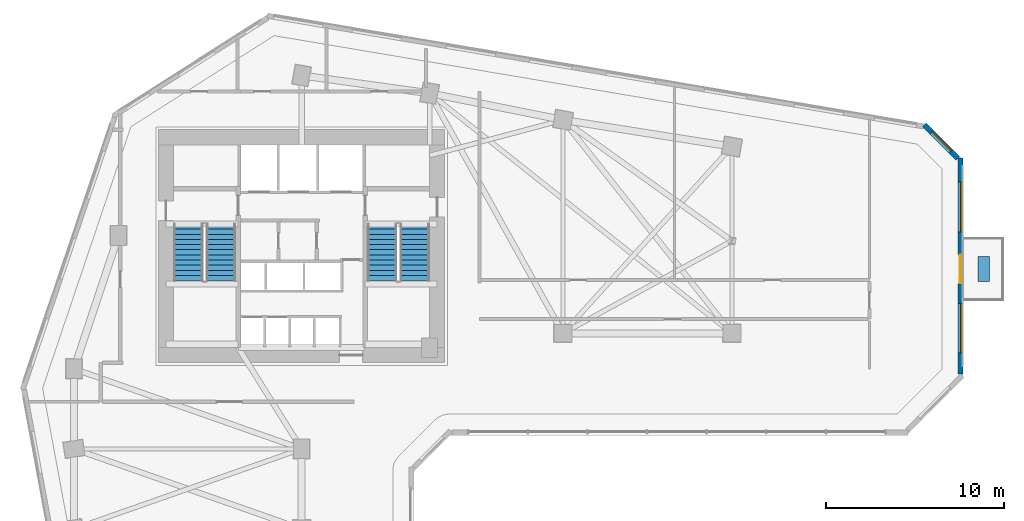
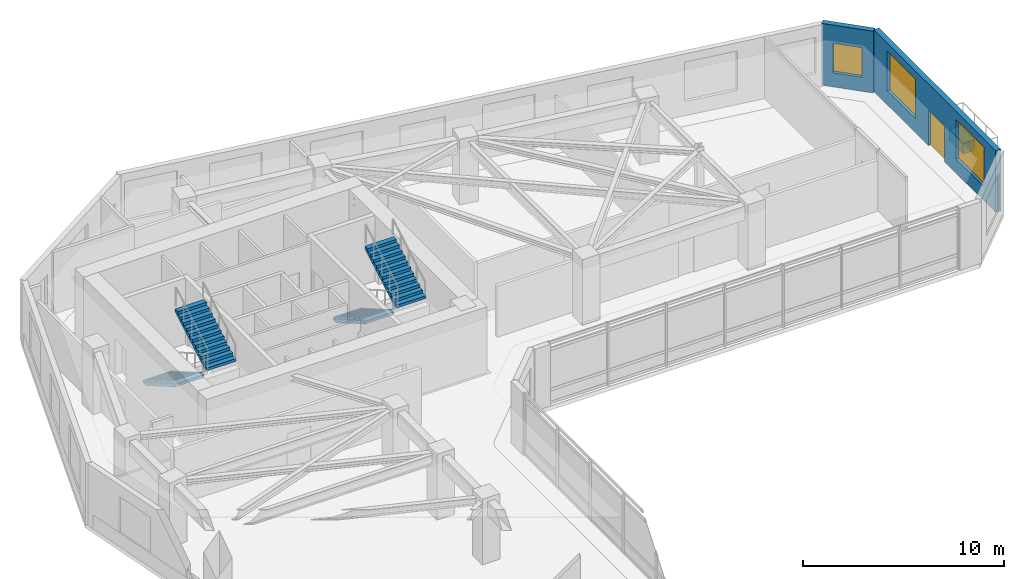
# One storey, part 8 of 11: 4 stair flights, 3 windows, 2 walls, 1 discrete accessory, 1 door, 4 openings, 2 elements without a shape of their own.
"""IFC4 building model written with IfcOpenShell, lengths in metres."""

from ifc_helpers import new_model, si_unit, direction, frame, frame_2d, origin, origin_2d, place, context, subcontext, project, spatial, polyline, rectangle, outline, extrude, source, transform, mapped, material, layer, layer_set, type_object, element, fill, aggregate, save


model = new_model("IFC4")

# Units and contexts
model_context = context("Model", 3, precision=1e-05, world=origin(), true_north=direction((0.0, 1.0)))
body_context = subcontext(model_context, "Body", "Model", "MODEL_VIEW")
ifc_project = project(units=[si_unit("LENGTHUNIT", "METRE"), si_unit("AREAUNIT", "SQUARE_METRE"), si_unit("VOLUMEUNIT", "CUBIC_METRE"), si_unit("PLANEANGLEUNIT", "RADIAN"), si_unit("MASSUNIT", "GRAM", prefix="KILO")], contexts=[model_context])

# Site, building, storey
site_placement = place(None, origin())
site = spatial("IfcSite", under=ifc_project, at=site_placement, CompositionType="ELEMENT")
building_placement = place(site_placement, origin())
building = spatial("IfcBuilding", under=site, at=building_placement, Name="Calvemar Wedge Station Tower", CompositionType="ELEMENT")
storey_placement = place(building_placement, frame((0.0, 0.0, 35.0)))
storey = spatial("IfcBuildingStorey", under=building, at=storey_placement, Name="L08", CompositionType="ELEMENT", Elevation=35.0)

# Wall, openings, windows, door
ifc_material_1 = material(Name="Precast concrete C45", Category="concrete")
ifc_layer = layer(ifc_material_1, 0.300048828125)
ifc_layer_set = layer_set([ifc_layer], Name="Precast concrete C45")
wall_type = type_object("IfcWallType", Name="W-EXT-GFRC-300", PredefinedType="SOLIDWALL", material=ifc_layer_set)
wall_1_placement = place(storey_placement, frame((60.85009765625, 32.71728515625, 0.0), z_axis=(0.0, 0.0, 1.0), x_axis=(0.0, 1.0, 0.0)))
wall_1 = element("IfcWall", 1, at=wall_1_placement, inside=storey, type_object=wall_type, Name="Storey L08 Bronze GFRC Exterior Wall 8", PredefinedType="SOLIDWALL", context=body_context, shape_type="SweptSolid", body=[
    extrude(rectangle(XDim=12.130615234375, YDim=0.300048828125, at=frame_2d((6.0654296875, 0.0))), origin(), (0.0, 0.0, 1.0), 3.75),
])
shared_shape_1 = source(origin(), body_context, "Body", "SweptSolid", [
    extrude(rectangle(XDim=1.60009765625, YDim=2.14990234375, at=frame_2d((0.800048828125, 1.074951171875))), frame((0.0, 0.16015625, 0.0), z_axis=(0.0, -1.0, 0.0), x_axis=(1.0, 0.0, 0.0)), (0.0, 0.0, 1.0), 0.320068359375),
])
opening_1_placement = place(wall_1_placement, frame((5.093017578125, 0.0, 0.0)))
opening_1 = element("IfcOpeningElement", 2, at=opening_1_placement, cuts=wall_1, Name="Opening DT1", PredefinedType="OPENING", context=body_context, shape_type="MappedRepresentation", body=[
    mapped(shared_shape_1, transform((0.0, 0.0, 0.0), scale=1.0)),
])
shared_shape_2 = source(origin(), body_context, "Body", "SweptSolid", [
    extrude(rectangle(XDim=2.800048828125, YDim=2.39990234375, at=frame_2d((1.39990234375, 1.199951171875))), frame((0.0, 0.16015625, 0.0), z_axis=(0.0, -1.0, 0.0), x_axis=(1.0, 0.0, 0.0)), (0.0, 0.0, 1.0), 0.320068359375),
])
opening_2_placement = place(wall_1_placement, frame((1.1669921875, 0.0, 0.85009765625)))
opening_2 = element("IfcOpeningElement", 3, at=opening_2_placement, cuts=wall_1, Name="Opening W6", PredefinedType="OPENING", context=body_context, shape_type="MappedRepresentation", body=[
    mapped(shared_shape_2, transform((0.0, 0.0, 0.0), scale=1.0)),
])
opening_3_placement = place(wall_1_placement, frame((7.991943359375, 0.0, 0.85009765625)))
opening_3 = element("IfcOpeningElement", 4, at=opening_3_placement, cuts=wall_1, Name="Opening W6", PredefinedType="OPENING", context=body_context, shape_type="MappedRepresentation", body=[
    mapped(shared_shape_2, transform((0.0, 0.0, 0.0), scale=1.0)),
])
ifc_material_2 = material(Name="Low-E laminated insulated glass", Category="glass")
window_type_1 = type_object("IfcWindowType", Name="WIN-EXT-6", PartitioningType="SINGLE_PANEL", PredefinedType="WINDOW", material=ifc_material_2)
shared_shape_3 = source(origin(), body_context, "Body", "SweptSolid", [
    extrude(rectangle(XDim=2.800048828125, YDim=2.39990234375, at=frame_2d((1.39990234375, 1.199951171875))), frame((0.0, -0.014892578125, 0.0), z_axis=(0.0, -1.0, 0.0), x_axis=(1.0, 0.0, 0.0)), (0.0, 0.0, 1.0), 0.06005859375),
])
window_1_placement = place(opening_2_placement, origin())
window_1 = element("IfcWindow", 5, at=window_1_placement, inside=storey, type_object=window_type_1, Name="Storey L08 Recessed Window 8.1", OverallHeight=2.39990234375, OverallWidth=2.800048828125, PartitioningType="SINGLE_PANEL", PredefinedType="WINDOW", context=body_context, shape_type="MappedRepresentation", body=[
    mapped(shared_shape_3, transform((0.0, 0.0, 0.0), scale=1.0)),
])
fill(opening_2, window_1)
window_2_placement = place(opening_3_placement, origin())
window_2 = element("IfcWindow", 6, at=window_2_placement, inside=storey, type_object=window_type_1, Name="Storey L08 Recessed Window 8.2", OverallHeight=2.39990234375, OverallWidth=2.800048828125, PartitioningType="SINGLE_PANEL", PredefinedType="WINDOW", context=body_context, shape_type="MappedRepresentation", body=[
    mapped(shared_shape_3, transform((0.0, 0.0, 0.0), scale=1.0)),
])
fill(opening_3, window_2)
ifc_material_3 = material(Name="Anodised aluminium 6063-T6", Category="aluminium")
door_type = type_object("IfcDoorType", Name="DR-TERR-1600", OperationType="DOUBLE_DOOR_SLIDING", PredefinedType="DOOR", material=ifc_material_3)
shared_shape_4 = source(origin(), body_context, "Body", "SweptSolid", [
    extrude(rectangle(XDim=1.60009765625, YDim=2.14990234375, at=frame_2d((0.800048828125, 1.074951171875))), frame((0.0, 0.02490234375, 0.0), z_axis=(0.0, -1.0, 0.0), x_axis=(1.0, 0.0, 0.0)), (0.0, 0.0, 1.0), 0.050048828125),
])
door_placement = place(opening_1_placement, origin())
door = element("IfcDoor", 7, at=door_placement, inside=storey, type_object=door_type, Name="Storey L08 Spiral Terrace Door", OperationType="DOUBLE_DOOR_SLIDING", OverallHeight=2.14990234375, OverallWidth=1.60009765625, PredefinedType="DOOR", context=body_context, shape_type="MappedRepresentation", body=[
    mapped(shared_shape_4, transform((0.0, 0.0, 0.0), scale=1.0)),
])
fill(opening_1, door)

# Wall, opening, window
wall_2_placement = place(storey_placement, frame((60.7119140625, 44.8359375, 0.0), z_axis=(0.0, 0.0, 1.0), x_axis=(-0.707106781187, 0.707106781187, 0.0)))
wall_2 = element("IfcWall", 8, at=wall_2_placement, inside=storey, type_object=wall_type, Name="Storey L08 Bronze GFRC Exterior Wall 9", PredefinedType="SOLIDWALL", context=body_context, shape_type="SweptSolid", body=[
    extrude(rectangle(XDim=2.673095703125, YDim=0.300048828125, at=frame_2d((1.33642578125, 0.0))), origin(), (0.0, 0.0, 1.0), 3.75),
])
shared_shape_5 = source(origin(), body_context, "Body", "SweptSolid", [
    extrude(rectangle(XDim=1.5, YDim=1.800048828125, at=frame_2d((0.75, 0.89990234375))), frame((0.0, 0.16015625, 0.0), z_axis=(0.0, -1.0, 0.0), x_axis=(1.0, 0.0, 0.0)), (0.0, 0.0, 1.0), 0.320068359375),
])
opening_4_placement = place(wall_2_placement, frame((0.5869140625, 0.0, 0.85009765625)))
opening_4 = element("IfcOpeningElement", 9, at=opening_4_placement, cuts=wall_2, Name="Opening W3", PredefinedType="OPENING", context=body_context, shape_type="MappedRepresentation", body=[
    mapped(shared_shape_5, transform((0.0, 0.0, 0.0), scale=1.0)),
])
window_type_2 = type_object("IfcWindowType", Name="WIN-EXT-3", PartitioningType="SINGLE_PANEL", PredefinedType="WINDOW", material=ifc_material_2)
shared_shape_6 = source(origin(), body_context, "Body", "SweptSolid", [
    extrude(rectangle(XDim=1.5, YDim=1.800048828125, at=frame_2d((0.75, 0.89990234375))), frame((0.0, -0.014892578125, 0.0), z_axis=(0.0, -1.0, 0.0), x_axis=(1.0, 0.0, 0.0)), (0.0, 0.0, 1.0), 0.06005859375),
])
window_3_placement = place(opening_4_placement, origin())
window_3 = element("IfcWindow", 10, at=window_3_placement, inside=storey, type_object=window_type_2, Name="Storey L08 Recessed Window 9.1", OverallHeight=1.800048828125, OverallWidth=1.5, PartitioningType="SINGLE_PANEL", PredefinedType="WINDOW", context=body_context, shape_type="MappedRepresentation", body=[
    mapped(shared_shape_6, transform((0.0, 0.0, 0.0), scale=1.0)),
])
fill(opening_4, window_3)

# Stair, stair flights
ifc_material_4 = material(Name="Concrete C45", Category="concrete")
stair_type = type_object("IfcStairType", Name="ST-TYPE-4000", PredefinedType="HALF_TURN_STAIR", material=ifc_material_4)
stair_1_placement = place(storey_placement, origin())
stair_1 = element("IfcStair", 11, at=stair_1_placement, inside=storey, type_object=stair_type, Name="L08 Pressurized Core Exit Stair ST-C1", PredefinedType="HALF_TURN_STAIR")
stair_flight_type = type_object("IfcStairFlightType", Name="STF-TYPE-4000", PredefinedType="STRAIGHT", material=ifc_material_4)
stair_flight_1_placement = place(storey_placement, frame((17.429931640625, 41.14990234375, 0.0), z_axis=(0.0, 0.0, 1.0), x_axis=(0.0, -1.0, 0.0)))
stair_flight_1 = element("IfcStairFlight", 12, at=stair_flight_1_placement, type_object=stair_flight_type, Name="ST-C1 flight 1", NumberOfRisers=12, NumberOfTreads=11, PredefinedType="STRAIGHT", RiserHeight=0.166666667, TreadLength=0.29, context=body_context, shape_type="SweptSolid", body=[
    extrude(outline(polyline([(0.0, 0.0), (0.0, 0.166748046875), (0.2900390625, 0.166748046875), (0.2900390625, 0.333251953125), (0.580078125, 0.333251953125), (0.580078125, 0.5), (0.8701171875, 0.5), (0.8701171875, 0.666748046875), (1.159912109375, 0.666748046875), (1.159912109375, 0.833251953125), (1.449951171875, 0.833251953125), (1.449951171875, 1.0), (1.739990234375, 1.0), (1.739990234375, 1.166748046875), (2.030029296875, 1.166748046875), (2.030029296875, 1.333251953125), (2.320068359375, 1.333251953125), (2.320068359375, 1.5), (2.610107421875, 1.5), (2.610107421875, 1.666748046875), (2.89990234375, 1.666748046875), (2.89990234375, 1.833251953125), (3.18994140625, 1.833251953125), (3.18994140625, 2.0), (3.18994140625, 1.660400390625), (0.30078125, 0.0), (0.0, 0.0)])), frame((0.0, 0.830078125, 0.0), z_axis=(0.0, -1.0, 0.0), x_axis=(1.0, 0.0, 0.0)), (0.0, 0.0, 1.0), 1.659912109375),
])
stair_flight_2_placement = place(storey_placement, frame((19.27001953125, 37.9599609375, 2.0), z_axis=(0.0, 0.0, 1.0), x_axis=(0.0, 1.0, 0.0)))
stair_flight_2 = element("IfcStairFlight", 13, at=stair_flight_2_placement, type_object=stair_flight_type, Name="ST-C1 flight 2", NumberOfRisers=12, NumberOfTreads=11, PredefinedType="STRAIGHT", RiserHeight=0.166666667, TreadLength=0.29, context=body_context, shape_type="SweptSolid", body=[
    extrude(outline(polyline([(0.0, 0.0), (0.0, 0.166748046875), (0.2900390625, 0.166748046875), (0.2900390625, 0.333251953125), (0.580078125, 0.333251953125), (0.580078125, 0.5), (0.8701171875, 0.5), (0.8701171875, 0.666748046875), (1.159912109375, 0.666748046875), (1.159912109375, 0.833251953125), (1.449951171875, 0.833251953125), (1.449951171875, 1.0), (1.739990234375, 1.0), (1.739990234375, 1.166748046875), (2.030029296875, 1.166748046875), (2.030029296875, 1.333251953125), (2.320068359375, 1.333251953125), (2.320068359375, 1.5), (2.610107421875, 1.5), (2.610107421875, 1.666748046875), (2.89990234375, 1.666748046875), (2.89990234375, 1.833251953125), (3.18994140625, 1.833251953125), (3.18994140625, 2.0), (3.18994140625, 1.660400390625), (0.30078125, 0.0), (0.0, 0.0)])), frame((0.0, 0.830078125, 0.0), z_axis=(0.0, -1.0, 0.0), x_axis=(1.0, 0.0, 0.0)), (0.0, 0.0, 1.0), 1.659912109375),
])
aggregate(stair_1, [stair_flight_1, stair_flight_2])

stair_2_placement = place(storey_placement, origin())
stair_2 = element("IfcStair", 14, at=stair_2_placement, inside=storey, type_object=stair_type, Name="L08 Pressurized Core Exit Stair ST-C2", PredefinedType="HALF_TURN_STAIR")
stair_flight_3_placement = place(storey_placement, frame((28.330078125, 41.14990234375, 0.0), z_axis=(0.0, 0.0, 1.0), x_axis=(0.0, -1.0, 0.0)))
stair_flight_3 = element("IfcStairFlight", 15, at=stair_flight_3_placement, type_object=stair_flight_type, Name="ST-C2 flight 1", NumberOfRisers=12, NumberOfTreads=11, PredefinedType="STRAIGHT", RiserHeight=0.166666667, TreadLength=0.29, context=body_context, shape_type="SweptSolid", body=[
    extrude(outline(polyline([(0.0, 0.0), (0.0, 0.166748046875), (0.2900390625, 0.166748046875), (0.2900390625, 0.333251953125), (0.580078125, 0.333251953125), (0.580078125, 0.5), (0.8701171875, 0.5), (0.8701171875, 0.666748046875), (1.159912109375, 0.666748046875), (1.159912109375, 0.833251953125), (1.449951171875, 0.833251953125), (1.449951171875, 1.0), (1.739990234375, 1.0), (1.739990234375, 1.166748046875), (2.030029296875, 1.166748046875), (2.030029296875, 1.333251953125), (2.320068359375, 1.333251953125), (2.320068359375, 1.5), (2.610107421875, 1.5), (2.610107421875, 1.666748046875), (2.89990234375, 1.666748046875), (2.89990234375, 1.833251953125), (3.18994140625, 1.833251953125), (3.18994140625, 2.0), (3.18994140625, 1.660400390625), (0.30078125, 0.0), (0.0, 0.0)])), frame((0.0, 0.830078125, 0.0), z_axis=(0.0, -1.0, 0.0), x_axis=(1.0, 0.0, 0.0)), (0.0, 0.0, 1.0), 1.659912109375),
])
stair_flight_4_placement = place(storey_placement, frame((30.169921875, 37.9599609375, 2.0), z_axis=(0.0, 0.0, 1.0), x_axis=(0.0, 1.0, 0.0)))
stair_flight_4 = element("IfcStairFlight", 16, at=stair_flight_4_placement, type_object=stair_flight_type, Name="ST-C2 flight 2", NumberOfRisers=12, NumberOfTreads=11, PredefinedType="STRAIGHT", RiserHeight=0.166666667, TreadLength=0.29, context=body_context, shape_type="SweptSolid", body=[
    extrude(outline(polyline([(0.0, 0.0), (0.0, 0.166748046875), (0.2900390625, 0.166748046875), (0.2900390625, 0.333251953125), (0.580078125, 0.333251953125), (0.580078125, 0.5), (0.8701171875, 0.5), (0.8701171875, 0.666748046875), (1.159912109375, 0.666748046875), (1.159912109375, 0.833251953125), (1.449951171875, 0.833251953125), (1.449951171875, 1.0), (1.739990234375, 1.0), (1.739990234375, 1.166748046875), (2.030029296875, 1.166748046875), (2.030029296875, 1.333251953125), (2.320068359375, 1.333251953125), (2.320068359375, 1.5), (2.610107421875, 1.5), (2.610107421875, 1.666748046875), (2.89990234375, 1.666748046875), (2.89990234375, 1.833251953125), (3.18994140625, 1.833251953125), (3.18994140625, 2.0), (3.18994140625, 1.660400390625), (0.30078125, 0.0), (0.0, 0.0)])), frame((0.0, 0.830078125, 0.0), z_axis=(0.0, -1.0, 0.0), x_axis=(1.0, 0.0, 0.0)), (0.0, 0.0, 1.0), 1.659912109375),
])
aggregate(stair_2, [stair_flight_3, stair_flight_4])

# Discrete accessory
discrete_accessory_type = type_object("IfcDiscreteAccessoryType", Name="ACC-PLANTER", PredefinedType="USERDEFINED", material=ifc_material_1)
shared_shape_7 = source(origin(), body_context, "Body", "SweptSolid", [
    extrude(rectangle(XDim=0.64990234375, YDim=1.39990234375, at=origin_2d()), origin(), (0.0, 0.0, 1.0), 0.64990234375),
])
discrete_accessory_placement = place(storey_placement, frame((62.14990234375, 38.610107421875, 0.0), z_axis=(0.0, 0.0, 1.0), x_axis=(1.0, 0.0, 0.0)))
element("IfcDiscreteAccessory", 17, at=discrete_accessory_placement, inside=storey, type_object=discrete_accessory_type, Name="Storey L08 Planted Terrace GFRC Planter", ObjectType="PLANTER", PredefinedType="USERDEFINED", context=body_context, shape_type="MappedRepresentation", body=[
    mapped(shared_shape_7, transform((0.0, 0.0, 0.0), scale=1.0)),
])

save(model, "model.ifc")
